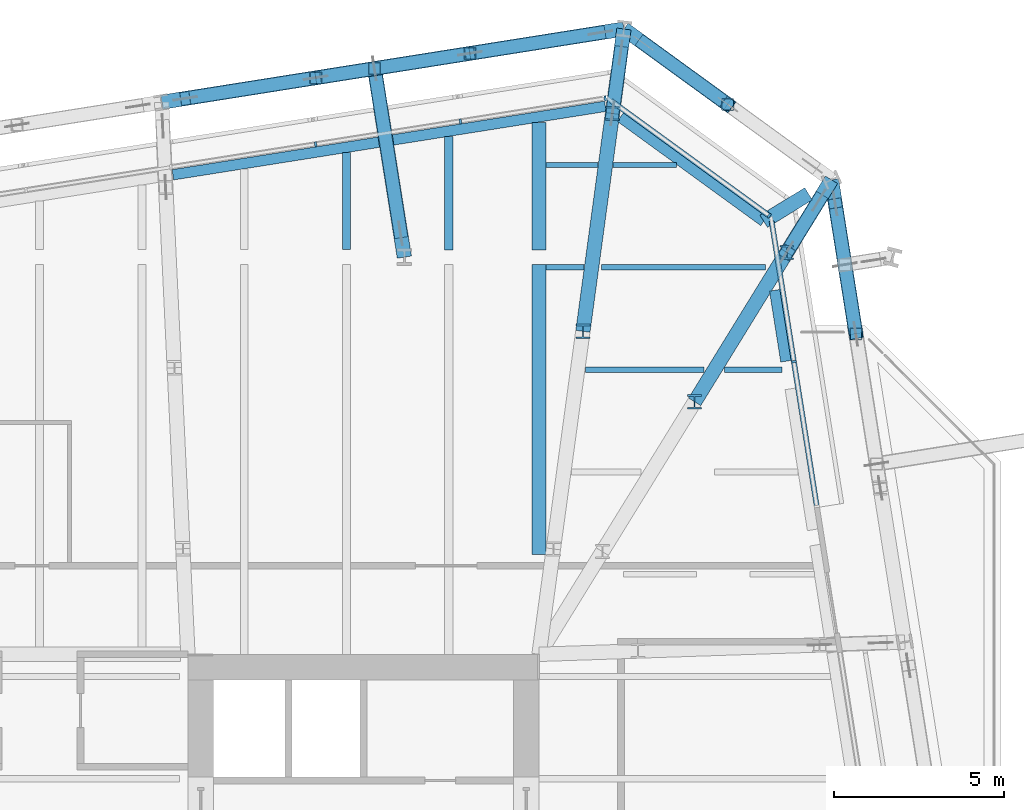
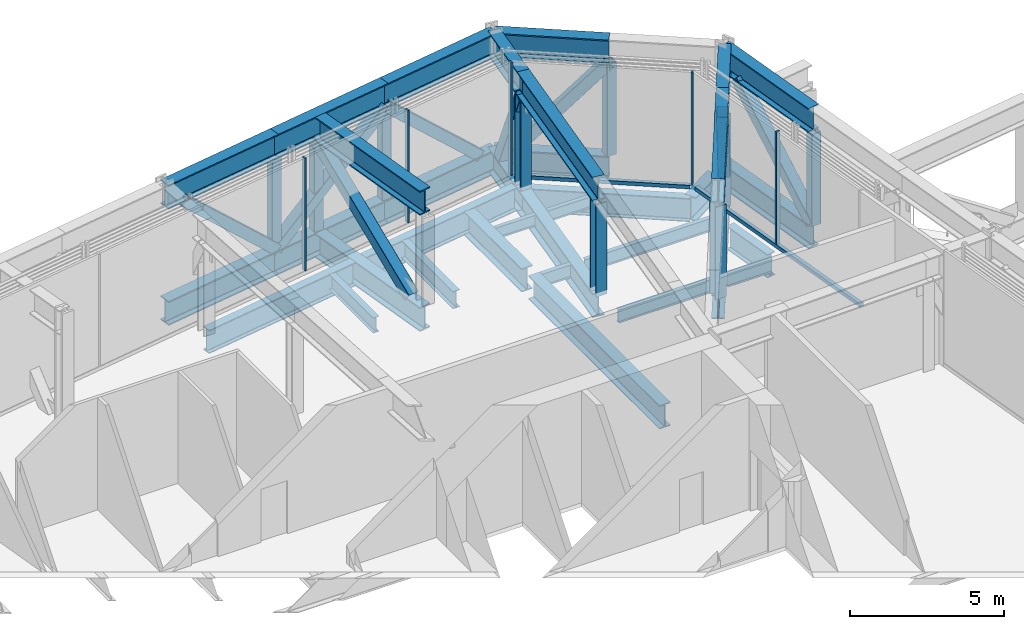
# One storey, part 16 of 32: 35 beams, 24 members, 3 elements without a shape of their own.
"""IFC4 building model written with IfcOpenShell, lengths in metres."""

from ifc_helpers import new_model, si_unit, direction, frame, origin, origin_2d, place, context, subcontext, project, spatial, rectangle, hollow_rectangle, i_section, extrude, material, layer, layer_set, material_profile, profile_set, type_object, element, aggregate, save


model = new_model("IFC4")

# Units and contexts
model_context = context("Model", 3, precision=1e-05, world=origin(), true_north=direction((0.0, 1.0)))
body_context = subcontext(model_context, "Body", "Model", "MODEL_VIEW")
ifc_project = project(units=[si_unit("LENGTHUNIT", "METRE"), si_unit("AREAUNIT", "SQUARE_METRE"), si_unit("VOLUMEUNIT", "CUBIC_METRE"), si_unit("PLANEANGLEUNIT", "RADIAN"), si_unit("MASSUNIT", "GRAM", prefix="KILO")], contexts=[model_context])

# Site, building, storey
site_placement = place(None, origin())
site = spatial("IfcSite", under=ifc_project, at=site_placement, CompositionType="ELEMENT")
building_placement = place(site_placement, origin())
building = spatial("IfcBuilding", under=site, at=building_placement, Name="Millrace Tower", CompositionType="ELEMENT")
storey_placement = place(building_placement, frame((0.0, 0.0, 124.89990234375)))
storey = spatial("IfcBuildingStorey", under=building, at=storey_placement, Name="L27", CompositionType="ELEMENT", Elevation=124.89990234375)

# Curtain wall, member
ifc_material_1 = material(Name="Aluminium and glass", Category="aluminium")
ifc_layer = layer(ifc_material_1, 0.14990234375)
ifc_layer_set = layer_set([ifc_layer], Name="Aluminium and glass")
curtain_wall_type = type_object("IfcCurtainWallType", Name="CW-5 truss and plant storey louvred infill", PredefinedType="NOTDEFINED", material=ifc_layer_set)
placement = place(storey_placement, origin())
curtain_wall_1 = element("IfcCurtainWall", 1, at=placement, inside=storey, type_object=curtain_wall_type, Name="Curtain wall C-F04 L27", PredefinedType="NOTDEFINED")
ifc_material_2 = material(Name="Aluminium", Category="aluminium")
ifc_material_profile_1 = material_profile(ifc_material_2, rectangle(XDim=0.06494140625, YDim=0.14990234375, at=origin_2d()))
ifc_profile_set_1 = profile_set([ifc_material_profile_1], Name="Aluminium")
member_type_1 = type_object("IfcMemberType", Name="CW-5 truss and plant storey louvred infill mullion", PredefinedType="MULLION", material=ifc_profile_set_1)
member_1_placement = place(storey_placement, frame((22.125244140625, 18.23486328125, 0.14013671875), z_axis=(0.0, 0.0, 1.0), x_axis=(-0.15643447328, 0.98768833929, 0.0)))
member_1 = element("IfcMember", 2, at=member_1_placement, type_object=member_type_1, Name="CW5 mullion C-F04.9", PredefinedType="MULLION", context=body_context, shape_type="SweptSolid", body=[
    extrude(rectangle(XDim=0.06494140625, YDim=0.14990234375, at=origin_2d()), origin(), (0.0, 0.0, 1.0), 4.4599609375),
])

curtain_wall_2 = element("IfcCurtainWall", 3, at=placement, inside=storey, type_object=curtain_wall_type, Name="Curtain wall C-F05 L27", PredefinedType="NOTDEFINED")
member_2_placement = place(storey_placement, frame((21.4013671875, 22.517822265625, 0.14013671875), z_axis=(0.0, 0.0, 1.0), x_axis=(-0.809016981623, 0.587785269844, 0.0)))
member_2 = element("IfcMember", 4, at=member_2_placement, type_object=member_type_1, Name="CW5 mullion C-F05.1", PredefinedType="MULLION", context=body_context, shape_type="SweptSolid", body=[
    extrude(rectangle(XDim=0.06494140625, YDim=0.14990234375, at=origin_2d()), origin(), (0.0, 0.0, 1.0), 4.4599609375),
])

# Curtain wall, members
curtain_wall_3 = element("IfcCurtainWall", 5, at=placement, inside=storey, type_object=curtain_wall_type, Name="Curtain wall C-F06 L27", PredefinedType="NOTDEFINED")
member_3_placement = place(storey_placement, frame((16.591796875, 25.956787109375, 0.14013671875), z_axis=(0.0, 0.0, 1.0), x_axis=(-0.98768833929, -0.15643447328, 0.0)))
member_3 = element("IfcMember", 6, at=member_3_placement, type_object=member_type_1, Name="CW5 mullion C-F06.1", PredefinedType="MULLION", context=body_context, shape_type="SweptSolid", body=[
    extrude(rectangle(XDim=0.06494140625, YDim=0.14990234375, at=origin_2d()), origin(), (0.0, 0.0, 1.0), 4.4599609375),
])
member_4_placement = place(storey_placement, frame((12.3447265625, 25.283935546875, 0.14013671875), z_axis=(0.0, 0.0, 1.0), x_axis=(-0.98768833929, -0.15643447328, 0.0)))
member_4 = element("IfcMember", 7, at=member_4_placement, type_object=member_type_1, Name="CW5 mullion C-F06.2", PredefinedType="MULLION", context=body_context, shape_type="SweptSolid", body=[
    extrude(rectangle(XDim=0.06494140625, YDim=0.14990234375, at=origin_2d()), origin(), (0.0, 0.0, 1.0), 4.4599609375),
])
member_5_placement = place(storey_placement, frame((8.09765625, 24.611328125, 0.14013671875), z_axis=(0.0, 0.0, 1.0), x_axis=(-0.98768833929, -0.15643447328, 0.0)))
member_5 = element("IfcMember", 8, at=member_5_placement, type_object=member_type_1, Name="CW5 mullion C-F06.3", PredefinedType="MULLION", context=body_context, shape_type="SweptSolid", body=[
    extrude(rectangle(XDim=0.06494140625, YDim=0.14990234375, at=origin_2d()), origin(), (0.0, 0.0, 1.0), 4.4599609375),
])
aggregate(curtain_wall_3, [member_3, member_4, member_5])

# Member
ifc_material_3 = material(Name="Aluminium", Category="aluminium")
ifc_material_profile_2 = material_profile(ifc_material_3, rectangle(XDim=0.14990234375, YDim=0.139892578125, at=origin_2d()))
ifc_profile_set_2 = profile_set([ifc_material_profile_2], Name="Aluminium")
member_type_2 = type_object("IfcMemberType", Name="CW-5 truss and plant storey louvred infill transom", PredefinedType="USERDEFINED", material=ifc_profile_set_2)
member_6_placement = place(storey_placement, frame((22.802978515625, 13.95556640625, 0.070068359375), z_axis=(-0.156424216778, 0.987689963706, 0.0), x_axis=(-0.987689963706, -0.156424216778, 0.0)))
member_6 = element("IfcMember", 9, at=member_6_placement, type_object=member_type_2, Name="CW5 transom C-F04.2", ObjectType="TRANSOM", PredefinedType="USERDEFINED", context=body_context, shape_type="SweptSolid", body=[
    extrude(rectangle(XDim=0.14990234375, YDim=0.139892578125, at=origin_2d()), origin(), (0.0, 0.0, 1.0), 8.5),
])

aggregate(curtain_wall_1, [member_1, member_6])

member_7_placement = place(storey_placement, frame((21.346923828125, 22.557373046875, 0.070068359375), z_axis=(-0.809013470651, 0.587790102252, 0.0), x_axis=(-0.587790102252, -0.809013470651, 0.0)))
member_7 = element("IfcMember", 10, at=member_7_placement, type_object=member_type_2, Name="CW5 transom C-F05.1", ObjectType="TRANSOM", PredefinedType="USERDEFINED", context=body_context, shape_type="SweptSolid", body=[
    extrude(rectangle(XDim=0.14990234375, YDim=0.139892578125, at=origin_2d()), origin(), (0.0, 0.0, 1.0), 5.669189453125),
])

aggregate(curtain_wall_2, [member_2, member_7])

# Beams
ifc_material_4 = material(Name="Steel ASTM A992 Grade 50", Category="steel")
ifc_material_profile_3 = material_profile(ifc_material_4, i_section(OverallWidth=0.15234375, OverallDepth=0.449462890625, WebThickness=0.007568359375, FlangeThickness=0.0107421875, FilletRadius=0.01025390625, at=origin_2d()))
ifc_profile_set_3 = profile_set([ifc_material_profile_3], Name="Steel ASTM A992 Grade 50")
beam_type_1 = type_object("IfcBeamType", Name="Floor beam W18x35", PredefinedType="JOIST", material=ifc_profile_set_3)
beam_1_placement = place(storey_placement, frame((14.859619140625, 24.0, -0.384765625), z_axis=(1.0, 0.0, 0.0), x_axis=(0.0, 1.0, 0.0)))
element("IfcBeam", 11, at=beam_1_placement, inside=storey, type_object=beam_type_1, Name="BM-C-L27-S1-S038-a", PredefinedType="JOIST", context=body_context, shape_type="SweptSolid", body=[
    extrude(i_section(OverallWidth=0.15234375, OverallDepth=0.449462890625, WebThickness=0.007568359375, FlangeThickness=0.0107421875, FilletRadius=0.01025390625, at=origin_2d()), origin(), (0.0, 0.0, 1.0), 1.513427734375),
])
beam_2_placement = place(storey_placement, frame((16.824462890625, 24.0, -0.384765625), z_axis=(1.0, 0.0, 0.0), x_axis=(0.0, 1.0, 0.0)))
element("IfcBeam", 12, at=beam_2_placement, inside=storey, type_object=beam_type_1, Name="BM-C-L27-S1-S038-b", PredefinedType="JOIST", context=body_context, shape_type="SweptSolid", body=[
    extrude(i_section(OverallWidth=0.15234375, OverallDepth=0.449462890625, WebThickness=0.007568359375, FlangeThickness=0.0107421875, FilletRadius=0.01025390625, at=origin_2d()), origin(), (0.0, 0.0, 1.0), 1.8583984375),
])
ifc_material_5 = material(Name="Steel ASTM A992 Grade 50", Category="steel")
ifc_material_profile_4 = material_profile(ifc_material_5, i_section(OverallWidth=0.1650390625, OverallDepth=0.52587890625, WebThickness=0.0087890625, FlangeThickness=0.011474609375, FilletRadius=0.0126953125, at=origin_2d()))
ifc_profile_set_4 = profile_set([ifc_material_profile_4], Name="Steel ASTM A992 Grade 50")
beam_type_2 = type_object("IfcBeamType", Name="Floor beam W21x44", PredefinedType="JOIST", material=ifc_profile_set_4)
beam_3_placement = place(storey_placement, frame((20.097412109375, 18.0, -0.4228515625), z_axis=(1.0, 0.0, 0.0), x_axis=(0.0, 1.0, 0.0)))
element("IfcBeam", 13, at=beam_3_placement, inside=storey, type_object=beam_type_2, Name="BM-C-L27-S1-S036-b", PredefinedType="JOIST", context=body_context, shape_type="SweptSolid", body=[
    extrude(i_section(OverallWidth=0.1650390625, OverallDepth=0.52587890625, WebThickness=0.0087890625, FlangeThickness=0.011474609375, FilletRadius=0.0126953125, at=origin_2d()), origin(), (0.0, 0.0, 1.0), 1.677978515625),
])
beam_4_placement = place(storey_placement, frame((14.859619140625, 21.0, -0.4228515625), z_axis=(1.0, 0.0, 0.0), x_axis=(0.0, 1.0, 0.0)))
element("IfcBeam", 14, at=beam_4_placement, inside=storey, type_object=beam_type_2, Name="BM-C-L27-S1-S037-a", PredefinedType="JOIST", context=body_context, shape_type="SweptSolid", body=[
    extrude(i_section(OverallWidth=0.1650390625, OverallDepth=0.52587890625, WebThickness=0.0087890625, FlangeThickness=0.011474609375, FilletRadius=0.0126953125, at=origin_2d()), origin(), (0.0, 0.0, 1.0), 1.107666015625),
])
beam_5_placement = place(storey_placement, frame((16.4873046875, 21.0, -0.4228515625), z_axis=(1.0, 0.0, 0.0), x_axis=(0.0, 1.0, 0.0)))
element("IfcBeam", 15, at=beam_5_placement, inside=storey, type_object=beam_type_2, Name="BM-C-L27-S1-S037-b", PredefinedType="JOIST", context=body_context, shape_type="SweptSolid", body=[
    extrude(i_section(OverallWidth=0.1650390625, OverallDepth=0.52587890625, WebThickness=0.0087890625, FlangeThickness=0.011474609375, FilletRadius=0.0126953125, at=origin_2d()), origin(), (0.0, 0.0, 1.0), 4.81298828125),
])
beam_6_placement = place(storey_placement, frame((16.008056640625, 18.0, -0.4228515625), z_axis=(1.0, 0.0, 0.0), x_axis=(0.0, 1.0, 0.0)))
element("IfcBeam", 16, at=beam_6_placement, inside=storey, type_object=beam_type_2, Name="BM-C-L27-S1-S036-a", PredefinedType="JOIST", context=body_context, shape_type="SweptSolid", body=[
    extrude(i_section(OverallWidth=0.1650390625, OverallDepth=0.52587890625, WebThickness=0.0087890625, FlangeThickness=0.011474609375, FilletRadius=0.0126953125, at=origin_2d()), origin(), (0.0, 0.0, 1.0), 3.488037109375),
])
ifc_material_6 = material(Name="Steel ASTM A992 Grade 50", Category="steel")
ifc_material_profile_5 = material_profile(ifc_material_6, i_section(OverallWidth=0.228271484375, OverallDepth=0.607177734375, WebThickness=0.01123046875, FlangeThickness=0.017333984375, FilletRadius=0.0126953125, at=origin_2d()))
ifc_profile_set_5 = profile_set([ifc_material_profile_5], Name="Steel ASTM A992 Grade 50")
beam_type_3 = type_object("IfcBeamType", Name="Floor beam W24x76", PredefinedType="JOIST", material=ifc_profile_set_5)
beam_7_placement = place(storey_placement, frame((9.0, 21.51806640625, -0.46337890625), z_axis=(0.0, 1.0, 0.0), x_axis=(-1.0, 0.0, 0.0)))
element("IfcBeam", 17, at=beam_7_placement, inside=storey, type_object=beam_type_3, Name="BM-C-L27-S1-S053-b", PredefinedType="JOIST", context=body_context, shape_type="SweptSolid", body=[
    extrude(i_section(OverallWidth=0.228271484375, OverallDepth=0.607177734375, WebThickness=0.01123046875, FlangeThickness=0.017333984375, FilletRadius=0.0126953125, at=origin_2d()), origin(), (0.0, 0.0, 1.0), 2.84912109375),
])
ifc_material_7 = material(Name="Steel ASTM A992 Grade 50", Category="steel")
ifc_material_profile_6 = material_profile(ifc_material_7, i_section(OverallWidth=0.256591796875, OverallDepth=0.693359375, WebThickness=0.014404296875, FlangeThickness=0.023681640625, FilletRadius=0.01513671875, at=origin_2d()))
ifc_profile_set_6 = profile_set([ifc_material_profile_6], Name="Steel ASTM A992 Grade 50")
beam_type_4 = type_object("IfcBeamType", Name="Floor beam W27x114", PredefinedType="JOIST", material=ifc_profile_set_6)
beam_8_placement = place(storey_placement, frame((12.0, 21.51611328125, -0.506591796875), z_axis=(0.0, 1.0, 0.0), x_axis=(-1.0, 0.0, 0.0)))
element("IfcBeam", 18, at=beam_8_placement, inside=storey, type_object=beam_type_4, Name="BM-C-L27-S1-S055-b", PredefinedType="JOIST", context=body_context, shape_type="SweptSolid", body=[
    extrude(i_section(OverallWidth=0.256591796875, OverallDepth=0.693359375, WebThickness=0.014404296875, FlangeThickness=0.023681640625, FilletRadius=0.01513671875, at=origin_2d()), origin(), (0.0, 0.0, 1.0), 3.326171875),
])
ifc_material_8 = material(Name="Steel ASTM A992 Grade 50", Category="steel")
ifc_material_profile_7 = material_profile(ifc_material_8, i_section(OverallWidth=0.419189453125, OverallDepth=0.927001953125, WebThickness=0.019287109375, FlangeThickness=0.031982421875, FilletRadius=0.024169921875, at=origin_2d()))
ifc_profile_set_7 = profile_set([ifc_material_profile_7], Name="Steel ASTM A992 Grade 50")
beam_type_5 = type_object("IfcBeamType", Name="Girder short span W36x231", PredefinedType="BEAM", material=ifc_profile_set_7)
beam_9_placement = place(storey_placement, frame((14.64990234375, 21.517333984375, -0.62353515625), z_axis=(0.0, 1.0, 0.0), x_axis=(-1.0, 0.0, 0.0)))
element("IfcBeam", 19, at=beam_9_placement, inside=storey, type_object=beam_type_5, Name="BM-C-L27-S1-G059-b", PredefinedType="BEAM", context=body_context, shape_type="SweptSolid", body=[
    extrude(i_section(OverallWidth=0.419189453125, OverallDepth=0.927001953125, WebThickness=0.019287109375, FlangeThickness=0.031982421875, FilletRadius=0.024169921875, at=origin_2d()), origin(), (0.0, 0.0, 1.0), 3.73681640625),
])
beam_10_placement = place(storey_placement, frame((14.64990234375, 12.58056640625, -0.62353515625), z_axis=(0.0, 1.0, 0.0), x_axis=(-1.0, 0.0, 0.0)))
element("IfcBeam", 20, at=beam_10_placement, inside=storey, type_object=beam_type_5, Name="BM-C-L27-S1-G059-a", PredefinedType="BEAM", context=body_context, shape_type="SweptSolid", body=[
    extrude(i_section(OverallWidth=0.419189453125, OverallDepth=0.927001953125, WebThickness=0.019287109375, FlangeThickness=0.031982421875, FilletRadius=0.024169921875, at=origin_2d()), origin(), (0.0, 0.0, 1.0), 8.501953125),
])
ifc_material_9 = material(Name="Steel ASTM A992 Grade 50", Category="steel")
ifc_material_profile_8 = material_profile(ifc_material_9, i_section(OverallWidth=0.421630859375, OverallDepth=0.95751953125, WebThickness=0.02587890625, FlangeThickness=0.046875, FilletRadius=0.024169921875, at=origin_2d()))
ifc_profile_set_8 = profile_set([ifc_material_profile_8], Name="Steel ASTM A992 Grade 50")
beam_type_6 = type_object("IfcBeamType", Name="Link beam W36x330", PredefinedType="BEAM", material=ifc_profile_set_8)
beam_11_placement = place(storey_placement, frame((21.241943359375, 22.35107421875, -0.638671875), z_axis=(0.852587583934, 0.522584358474, 0.0), x_axis=(-0.522584358474, 0.852587583934, 0.0)))
element("IfcBeam", 21, at=beam_11_placement, inside=storey, type_object=beam_type_6, Name="LNK-C-L27-S1-09", PredefinedType="BEAM", context=body_context, shape_type="SweptSolid", body=[
    extrude(i_section(OverallWidth=0.421630859375, OverallDepth=0.95751953125, WebThickness=0.02587890625, FlangeThickness=0.046875, FilletRadius=0.024169921875, at=origin_2d()), origin(), (0.0, 0.0, 1.0), 1.540283203125),
])
ifc_material_10 = material(Name="Steel ASTM A992 Grade 50", Category="steel")
ifc_material_profile_9 = material_profile(ifc_material_10, i_section(OverallWidth=0.307373046875, OverallDepth=0.927001953125, WebThickness=0.01953125, FlangeThickness=0.031982421875, FilletRadius=0.01904296875, at=origin_2d()))
ifc_profile_set_9 = profile_set([ifc_material_profile_9], Name="Steel ASTM A992 Grade 50")
beam_type_7 = type_object("IfcBeamType", Name="Ring beam short span W36x194", PredefinedType="SPANDREL", material=ifc_profile_set_9)
beam_12_placement = place(storey_placement, frame((3.910400390625, 23.716552734375, -0.62353515625), z_axis=(0.987685808064, 0.156450453975, 0.0), x_axis=(-0.156450453975, 0.987685808064, 0.0)))
element("IfcBeam", 22, at=beam_12_placement, inside=storey, type_object=beam_type_7, Name="RNG-C-L27-S1-07-a", PredefinedType="SPANDREL", context=body_context, shape_type="SweptSolid", body=[
    extrude(i_section(OverallWidth=0.307373046875, OverallDepth=0.927001953125, WebThickness=0.01953125, FlangeThickness=0.031982421875, FilletRadius=0.01904296875, at=origin_2d()), origin(), (0.0, 0.0, 1.0), 6.115478515625),
])
beam_13_placement = place(storey_placement, frame((10.370361328125, 24.73974609375, -0.62353515625), z_axis=(0.987690006337, 0.156423947598, 0.0), x_axis=(-0.156423947598, 0.987690006337, 0.0)))
element("IfcBeam", 23, at=beam_13_placement, inside=storey, type_object=beam_type_7, Name="RNG-C-L27-S1-07-b", PredefinedType="SPANDREL", context=body_context, shape_type="SweptSolid", body=[
    extrude(i_section(OverallWidth=0.307373046875, OverallDepth=0.927001953125, WebThickness=0.01953125, FlangeThickness=0.031982421875, FilletRadius=0.01904296875, at=origin_2d()), origin(), (0.0, 0.0, 1.0), 6.303955078125),
])
beam_14_placement = place(storey_placement, frame((17.03466796875, 25.40771484375, -0.62353515625), z_axis=(0.809028321277, -0.587769661834, 0.0), x_axis=(0.587769661834, 0.809028321277, 0.0)))
element("IfcBeam", 24, at=beam_14_placement, inside=storey, type_object=beam_type_7, Name="RNG-C-L27-S1-08", PredefinedType="SPANDREL", context=body_context, shape_type="SweptSolid", body=[
    extrude(i_section(OverallWidth=0.307373046875, OverallDepth=0.927001953125, WebThickness=0.01953125, FlangeThickness=0.031982421875, FilletRadius=0.01904296875, at=origin_2d()), origin(), (0.0, 0.0, 1.0), 5.200439453125),
])
beam_15_placement = place(storey_placement, frame((21.562255859375, 20.328369140625, -0.62353515625), z_axis=(0.156408768762, -0.987692410143, 0.0), x_axis=(0.987692410143, 0.156408768762, 0.0)))
element("IfcBeam", 25, at=beam_15_placement, inside=storey, type_object=beam_type_7, Name="RNG-C-L27-S1-09-a-a", PredefinedType="SPANDREL", context=body_context, shape_type="SweptSolid", body=[
    extrude(i_section(OverallWidth=0.307373046875, OverallDepth=0.927001953125, WebThickness=0.01953125, FlangeThickness=0.031982421875, FilletRadius=0.01904296875, at=origin_2d()), origin(), (0.0, 0.0, 1.0), 2.107177734375),
])

# Members
ifc_material_11 = material(Name="Steel ASTM A992 Grade 50", Category="steel")
ifc_material_profile_10 = material_profile(ifc_material_11, i_section(OverallWidth=0.406494140625, OverallDepth=0.41650390625, WebThickness=0.030029296875, FlangeThickness=0.048095703125, FilletRadius=0.01513671875, at=origin_2d()))
ifc_profile_set_10 = profile_set([ifc_material_profile_10], Name="Steel ASTM A992 Grade 50")
member_type_3 = type_object("IfcMemberType", Name="Transfer truss Vierendeel moment post W14x257", PredefinedType="POST", material=ifc_profile_set_10)
for number, where, z_axis, x_axis, name in (
    (26, (21.917724609375, 21.44091796875, -0.159912109375), (0.0, 0.0, 1.0), (1.0, 0.0, 0.0), "TRS-L27-C09-V01"),
    (27, (19.21533203125, 17.056884765625, -0.159912109375), (0.0, 0.0, 1.0), (1.0, 0.0, 0.0), "TRS-L27-C09-V02"),
    (28, (16.804443359375, 25.515380859375, -0.159912109375), (0.0, 0.0, 1.0), (1.0, 0.0, 0.0), "TRS-L27-C10-V01"),
    (29, (15.9365234375, 19.1240234375, -0.159912109375), (0.0, 0.0, 1.0), (1.0, 0.0, 0.0), "TRS-L27-C10-V02"),
):
    element("IfcMember", number, at=place(storey_placement, frame(where, z_axis=z_axis, x_axis=x_axis)), inside=storey, type_object=member_type_3, Name=name, PredefinedType="POST", context=body_context, shape_type="SweptSolid", body=[
        extrude(i_section(OverallWidth=0.406494140625, OverallDepth=0.41650390625, WebThickness=0.030029296875, FlangeThickness=0.048095703125, FilletRadius=0.01513671875, at=origin_2d()), origin(), (0.0, 0.0, 1.0), 3.642333984375),
    ])

# Beams
ifc_material_12 = material(Name="Steel ASTM A992 Grade 50", Category="steel")
ifc_material_profile_11 = material_profile(ifc_material_12, i_section(OverallWidth=0.421630859375, OverallDepth=0.95751953125, WebThickness=0.02587890625, FlangeThickness=0.046875, FilletRadius=0.024169921875, at=origin_2d()))
ifc_profile_set_11 = profile_set([ifc_material_profile_11], Name="Steel ASTM A992 Grade 50")
beam_type_8 = type_object("IfcBeamType", Name="Transfer truss chord W36x330", PredefinedType="BEAM", material=ifc_profile_set_11)
for number, where, z_axis, x_axis, name in (
    (30, (23.9453125, 19.04931640625, -0.638671875), (-0.156425557764, 0.987689751328, 0.0), (-0.987689751328, -0.156425557764, 0.0), "TRS-L27-R08-B03"),
    (31, (23.9453125, 19.04931640625, 3.96142578125), (-0.156425557764, 0.987689751328, 0.0), (-0.987689751328, -0.156425557764, 0.0), "TRS-L27-R08-T03"),
):
    element("IfcBeam", number, at=place(storey_placement, frame(where, z_axis=z_axis, x_axis=x_axis)), inside=storey, type_object=beam_type_8, Name=name, PredefinedType="BEAM", context=body_context, shape_type="SweptSolid", body=[
        extrude(i_section(OverallWidth=0.421630859375, OverallDepth=0.95751953125, WebThickness=0.02587890625, FlangeThickness=0.046875, FilletRadius=0.024169921875, at=origin_2d()), origin(), (0.0, 0.0, 1.0), 4.576171875),
    ])
for number, where, z_axis, x_axis, name in (
    (32, (20.185302734375, 25.78076171875, -0.638671875), (-0.809016541614, 0.587785875463, 0.0), (-0.587785875463, -0.809016541614, 0.0), "TRS-L27-R09-B02"),
    (33, (20.185302734375, 25.78076171875, 3.96142578125), (-0.809016541614, 0.587785875463, 0.0), (-0.587785875463, -0.809016541614, 0.0), "TRS-L27-R09-T02"),
):
    element("IfcBeam", number, at=place(storey_placement, frame(where, z_axis=z_axis, x_axis=x_axis)), inside=storey, type_object=beam_type_8, Name=name, PredefinedType="BEAM", context=body_context, shape_type="SweptSolid", body=[
        extrude(i_section(OverallWidth=0.421630859375, OverallDepth=0.95751953125, WebThickness=0.02587890625, FlangeThickness=0.046875, FilletRadius=0.024169921875, at=origin_2d()), origin(), (0.0, 0.0, 1.0), 3.76318359375),
    ])
for number, where, z_axis, x_axis, name in (
    (34, (17.140869140625, 27.99267578125, -0.638671875), (-0.987689751328, -0.156425557764, 0.0), (0.156425557764, -0.987689751328, 0.0), "TRS-L27-R10-B01"),
    (35, (17.140869140625, 27.99267578125, 3.96142578125), (-0.987689751328, -0.156425557764, 0.0), (0.156425557764, -0.987689751328, 0.0), "TRS-L27-R10-T01"),
    (36, (12.62109375, 27.27685546875, -0.638671875), (-0.987689751328, -0.156425557764, 0.0), (0.156425557764, -0.987689751328, 0.0), "TRS-L27-R10-B02"),
    (37, (12.62109375, 27.27685546875, 3.96142578125), (-0.987689751328, -0.156425557764, 0.0), (0.156425557764, -0.987689751328, 0.0), "TRS-L27-R10-T02"),
    (38, (8.101318359375, 26.56103515625, -0.638671875), (-0.987681507278, -0.156477602811, 0.0), (0.156477602811, -0.987681507278, 0.0), "TRS-L27-R10-B03"),
    (39, (8.101318359375, 26.56103515625, 3.96142578125), (-0.987681507278, -0.156477602811, 0.0), (0.156477602811, -0.987681507278, 0.0), "TRS-L27-R10-T03"),
):
    element("IfcBeam", number, at=place(storey_placement, frame(where, z_axis=z_axis, x_axis=x_axis)), inside=storey, type_object=beam_type_8, Name=name, PredefinedType="BEAM", context=body_context, shape_type="SweptSolid", body=[
        extrude(i_section(OverallWidth=0.421630859375, OverallDepth=0.95751953125, WebThickness=0.02587890625, FlangeThickness=0.046875, FilletRadius=0.024169921875, at=origin_2d()), origin(), (0.0, 0.0, 1.0), 4.576171875),
    ])
for number, where, z_axis, x_axis, name in (
    (40, (23.2294921875, 23.569091796875, -0.638671875), (-0.524712991111, -0.851279200356, 0.0), (0.851279200356, -0.524712991111, 0.0), "TRS-L27-C09-B01"),
    (41, (23.2294921875, 23.569091796875, 3.96142578125), (-0.524712991111, -0.851279200356, 0.0), (0.851279200356, -0.524712991111, 0.0), "TRS-L27-C09-T01"),
):
    element("IfcBeam", number, at=place(storey_placement, frame(where, z_axis=z_axis, x_axis=x_axis)), inside=storey, type_object=beam_type_8, Name=name, PredefinedType="BEAM", context=body_context, shape_type="SweptSolid", body=[
        extrude(i_section(OverallWidth=0.421630859375, OverallDepth=0.95751953125, WebThickness=0.02587890625, FlangeThickness=0.046875, FilletRadius=0.024169921875, at=origin_2d()), origin(), (0.0, 0.0, 1.0), 2.5),
    ])
for number, where, z_axis, x_axis, name in (
    (42, (21.917724609375, 21.44091796875, -0.638671875), (-0.524734713831, -0.851265810485, 0.0), (0.851265810485, -0.524734713831, 0.0), "TRS-L27-C09-B02"),
    (43, (21.917724609375, 21.44091796875, 3.96142578125), (-0.524734713831, -0.851265810485, 0.0), (0.851265810485, -0.524734713831, 0.0), "TRS-L27-C09-T02"),
):
    element("IfcBeam", number, at=place(storey_placement, frame(where, z_axis=z_axis, x_axis=x_axis)), inside=storey, type_object=beam_type_8, Name=name, PredefinedType="BEAM", context=body_context, shape_type="SweptSolid", body=[
        extrude(i_section(OverallWidth=0.421630859375, OverallDepth=0.95751953125, WebThickness=0.02587890625, FlangeThickness=0.046875, FilletRadius=0.024169921875, at=origin_2d()), origin(), (0.0, 0.0, 1.0), 5.14990234375),
    ])
for number, where, z_axis, x_axis, name in (
    (44, (17.140869140625, 27.99267578125, -0.638671875), (-0.134568456155, -0.99090429942, 0.0), (0.99090429942, -0.134568456155, 0.0), "TRS-L27-C10-B01"),
    (45, (17.140869140625, 27.99267578125, 3.96142578125), (-0.134568456155, -0.99090429942, 0.0), (0.99090429942, -0.134568456155, 0.0), "TRS-L27-C10-T01"),
):
    element("IfcBeam", number, at=place(storey_placement, frame(where, z_axis=z_axis, x_axis=x_axis)), inside=storey, type_object=beam_type_8, Name=name, PredefinedType="BEAM", context=body_context, shape_type="SweptSolid", body=[
        extrude(i_section(OverallWidth=0.421630859375, OverallDepth=0.95751953125, WebThickness=0.02587890625, FlangeThickness=0.046875, FilletRadius=0.024169921875, at=origin_2d()), origin(), (0.0, 0.0, 1.0), 2.5),
    ])
for number, where, z_axis, x_axis, name in (
    (46, (16.804443359375, 25.515380859375, -0.638671875), (-0.134560848661, -0.990905332516, 0.0), (0.990905332516, -0.134560848661, 0.0), "TRS-L27-C10-B02"),
    (47, (16.804443359375, 25.515380859375, 3.96142578125), (-0.134560848661, -0.990905332516, 0.0), (0.990905332516, -0.134560848661, 0.0), "TRS-L27-C10-T02"),
):
    element("IfcBeam", number, at=place(storey_placement, frame(where, z_axis=z_axis, x_axis=x_axis)), inside=storey, type_object=beam_type_8, Name=name, PredefinedType="BEAM", context=body_context, shape_type="SweptSolid", body=[
        extrude(i_section(OverallWidth=0.421630859375, OverallDepth=0.95751953125, WebThickness=0.02587890625, FlangeThickness=0.046875, FilletRadius=0.024169921875, at=origin_2d()), origin(), (0.0, 0.0, 1.0), 6.449951171875),
    ])
for number, where, z_axis, x_axis, name in (
    (48, (10.699951171875, 21.300048828125, -0.638671875), (-0.15644154148, 0.987687219771, 0.0), (-0.987687219771, -0.15644154148, 0.0), "TRS-L27-B-B-X11-B01"),
    (49, (10.699951171875, 21.300048828125, 3.96142578125), (-0.15644154148, 0.987687219771, 0.0), (-0.987687219771, -0.15644154148, 0.0), "TRS-L27-B-B-X11-T01"),
):
    element("IfcBeam", number, at=place(storey_placement, frame(where, z_axis=z_axis, x_axis=x_axis)), inside=storey, type_object=beam_type_8, Name=name, PredefinedType="BEAM", context=body_context, shape_type="SweptSolid", body=[
        extrude(i_section(OverallWidth=0.421630859375, OverallDepth=0.95751953125, WebThickness=0.02587890625, FlangeThickness=0.046875, FilletRadius=0.024169921875, at=origin_2d()), origin(), (0.0, 0.0, 1.0), 5.391845703125),
    ])

# Members
ifc_material_13 = material(Name="Steel ASTM A500 Grade C", Category="steel")
ifc_material_profile_12 = material_profile(ifc_material_13, hollow_rectangle(XDim=0.406494140625, YDim=0.406494140625, WallThickness=0.0126953125, InnerFilletRadius=0.00634765625, OuterFilletRadius=0.01904296875, at=origin_2d()))
ifc_profile_set_12 = profile_set([ifc_material_profile_12], Name="Steel ASTM A500 Grade C")
member_type_4 = type_object("IfcMemberType", Name="Transfer truss diagonal HSS16x16x1/2", PredefinedType="BRACE", material=ifc_profile_set_12)
member_8_placement = place(storey_placement, frame((23.9453125, 19.04931640625, -0.159912109375), z_axis=(-0.114016881777, 0.719765991606, 0.684789798404), x_axis=(-0.987684704581, -0.156457420202, 0.0)))
element("IfcMember", 50, at=member_8_placement, inside=storey, type_object=member_type_4, Name="TRS-L27-R08-D03", PredefinedType="BRACE", context=body_context, shape_type="SweptSolid", body=[
    extrude(hollow_rectangle(XDim=0.406494140625, YDim=0.406494140625, WallThickness=0.0126953125, InnerFilletRadius=0.00634765625, OuterFilletRadius=0.01904296875, at=origin_2d()), origin(), (0.0, 0.0, 1.0), 5.31884765625),
])
member_9_placement = place(storey_placement, frame((17.707275390625, 27.581298828125, -0.159912109375), z_axis=(0.520691080057, -0.378334651766, 0.765338938263), x_axis=(0.587816204595, 0.808994505306, 0.0)))
element("IfcMember", 51, at=member_9_placement, inside=storey, type_object=member_type_4, Name="TRS-L27-R09-D02", PredefinedType="BRACE", context=body_context, shape_type="SweptSolid", body=[
    extrude(hollow_rectangle(XDim=0.406494140625, YDim=0.406494140625, WallThickness=0.0126953125, InnerFilletRadius=0.00634765625, OuterFilletRadius=0.01904296875, at=origin_2d()), origin(), (0.0, 0.0, 1.0), 4.759033203125),
])
member_10_placement = place(storey_placement, frame((16.449462890625, 27.883056640625, -0.159912109375), z_axis=(-0.719769757725, -0.113971577605, 0.684793381512), x_axis=(0.156395975046, -0.987694436043, 0.0)))
element("IfcMember", 52, at=member_10_placement, inside=storey, type_object=member_type_4, Name="TRS-L27-R10-D01", PredefinedType="BRACE", context=body_context, shape_type="SweptSolid", body=[
    extrude(hollow_rectangle(XDim=0.406494140625, YDim=0.406494140625, WallThickness=0.0126953125, InnerFilletRadius=0.00634765625, OuterFilletRadius=0.01904296875, at=origin_2d()), origin(), (0.0, 0.0, 1.0), 5.31884765625),
])
member_11_placement = place(storey_placement, frame((8.101318359375, 26.56103515625, -0.159912109375), z_axis=(0.772782077588, 0.122389512855, 0.622758916196), x_axis=(-0.156425557764, 0.987689751328, 0.0)))
element("IfcMember", 53, at=member_11_placement, inside=storey, type_object=member_type_4, Name="TRS-L27-R10-D02", PredefinedType="BRACE", context=body_context, shape_type="SweptSolid", body=[
    extrude(hollow_rectangle(XDim=0.406494140625, YDim=0.406494140625, WallThickness=0.0126953125, InnerFilletRadius=0.00634765625, OuterFilletRadius=0.01904296875, at=origin_2d()), origin(), (0.0, 0.0, 1.0), 5.8486328125),
])
member_12_placement = place(storey_placement, frame((8.101318359375, 26.56103515625, -0.159912109375), z_axis=(-0.719765991606, -0.114016881777, 0.684789798404), x_axis=(0.156457420202, -0.987684704581, 0.0)))
element("IfcMember", 54, at=member_12_placement, inside=storey, type_object=member_type_4, Name="TRS-L27-R10-D03", PredefinedType="BRACE", context=body_context, shape_type="SweptSolid", body=[
    extrude(hollow_rectangle(XDim=0.406494140625, YDim=0.406494140625, WallThickness=0.0126953125, InnerFilletRadius=0.00634765625, OuterFilletRadius=0.01904296875, at=origin_2d()), origin(), (0.0, 0.0, 1.0), 5.31884765625),
])
for number, where, z_axis, x_axis, name in (
    (55, (22.862060546875, 22.97314453125, -0.159912109375), (-0.232436577912, -0.377138563334, 0.896515332437), (0.851304166311, -0.524672484909, 0.0), "TRS-L27-C09-D01"),
    (56, (17.046630859375, 27.299072265625, -0.159912109375), (-0.059610146857, -0.439023924328, 0.896495746928), (0.990907585761, -0.134544254732, 0.0), "TRS-L27-C10-D01"),
):
    element("IfcMember", number, at=place(storey_placement, frame(where, z_axis=z_axis, x_axis=x_axis)), inside=storey, type_object=member_type_4, Name=name, PredefinedType="BRACE", context=body_context, shape_type="SweptSolid", body=[
        extrude(hollow_rectangle(XDim=0.406494140625, YDim=0.406494140625, WallThickness=0.0126953125, InnerFilletRadius=0.00634765625, OuterFilletRadius=0.01904296875, at=origin_2d()), origin(), (0.0, 0.0, 1.0), 4.062744140625),
    ])
member_13_placement = place(storey_placement, frame((10.590576171875, 21.991455078125, -0.159912109375), z_axis=(-0.12559600125, 0.792829754546, 0.596361152974), x_axis=(-0.987683700514, -0.156463758547, 0.0)))
element("IfcMember", 57, at=member_13_placement, inside=storey, type_object=member_type_4, Name="TRS-L27-B-B-X11-D01", PredefinedType="BRACE", context=body_context, shape_type="SweptSolid", body=[
    extrude(hollow_rectangle(XDim=0.406494140625, YDim=0.406494140625, WallThickness=0.0126953125, InnerFilletRadius=0.00634765625, OuterFilletRadius=0.01904296875, at=origin_2d()), origin(), (0.0, 0.0, 1.0), 6.107666015625),
])
ifc_material_14 = material(Name="Steel ASTM A500 Grade C", Category="steel")
ifc_material_profile_13 = material_profile(ifc_material_14, hollow_rectangle(XDim=0.355712890625, YDim=0.355712890625, WallThickness=0.015869140625, InnerFilletRadius=0.008056640625, OuterFilletRadius=0.02392578125, at=origin_2d()))
ifc_profile_set_13 = profile_set([ifc_material_profile_13], Name="Steel ASTM A500 Grade C")
member_type_5 = type_object("IfcMemberType", Name="Transfer truss post HSS14x14x5/8", PredefinedType="POST", material=ifc_profile_set_13)
for number, where, z_axis, x_axis, name in (
    (58, (23.9453125, 19.04931640625, -0.159912109375), (0.0, 0.0, 1.0), (1.0, 0.0, 0.0), "TRS-L27-R08-V02"),
    (59, (20.185302734375, 25.78076171875, -0.159912109375), (0.0, 0.0, 1.0), (1.0, 0.0, 0.0), "TRS-L27-R09-V01"),
    (60, (12.62109375, 27.27685546875, -0.159912109375), (0.0, 0.0, 1.0), (1.0, 0.0, 0.0), "TRS-L27-R10-V01"),
    (61, (8.101318359375, 26.56103515625, -0.159912109375), (0.0, 0.0, 1.0), (1.0, 0.0, 0.0), "TRS-L27-R10-V02"),
    (62, (9.823486328125, 26.833740234375, -0.159912109375), (0.0, 0.0, 1.0), (1.0, 0.0, 0.0), "TRS-L27-B-B-X11-V01"),
):
    element("IfcMember", number, at=place(storey_placement, frame(where, z_axis=z_axis, x_axis=x_axis)), inside=storey, type_object=member_type_5, Name=name, PredefinedType="POST", context=body_context, shape_type="SweptSolid", body=[
        extrude(hollow_rectangle(XDim=0.355712890625, YDim=0.355712890625, WallThickness=0.015869140625, InnerFilletRadius=0.008056640625, OuterFilletRadius=0.02392578125, at=origin_2d()), origin(), (0.0, 0.0, 1.0), 3.642333984375),
    ])

save(model, "model.ifc")
